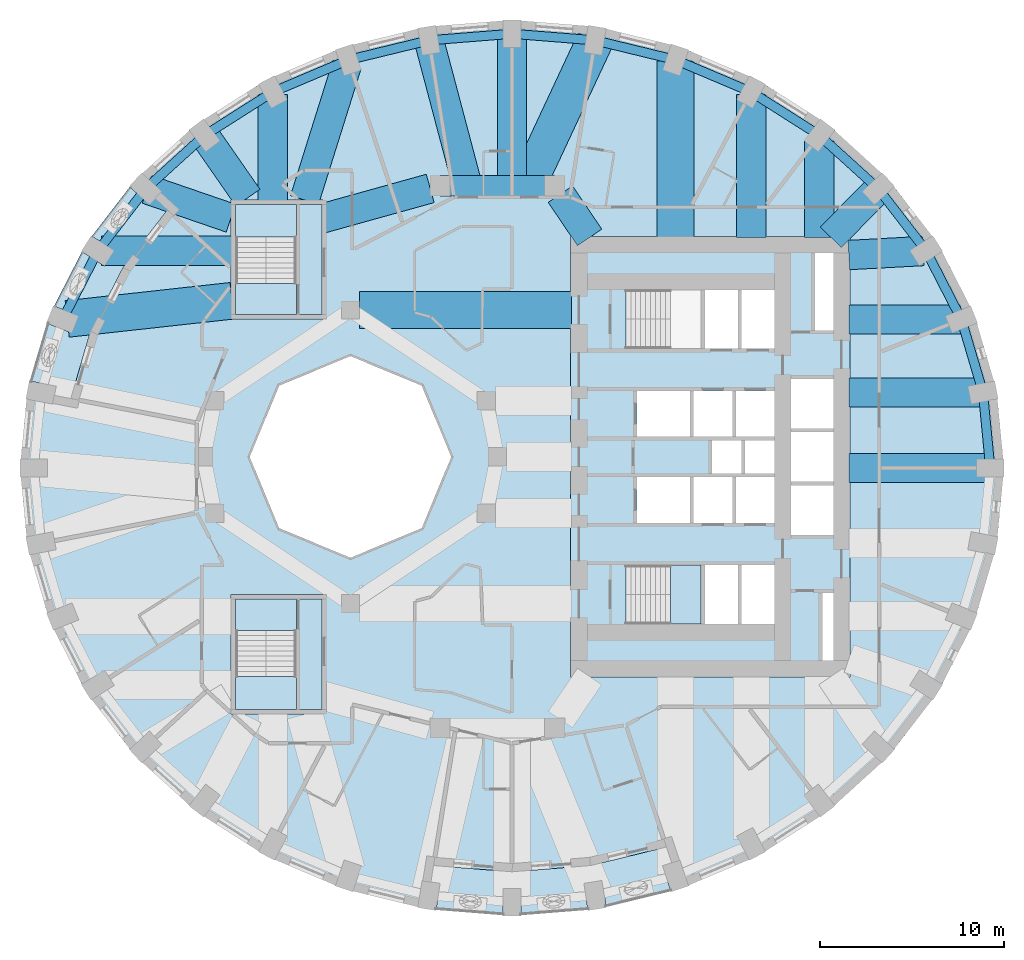
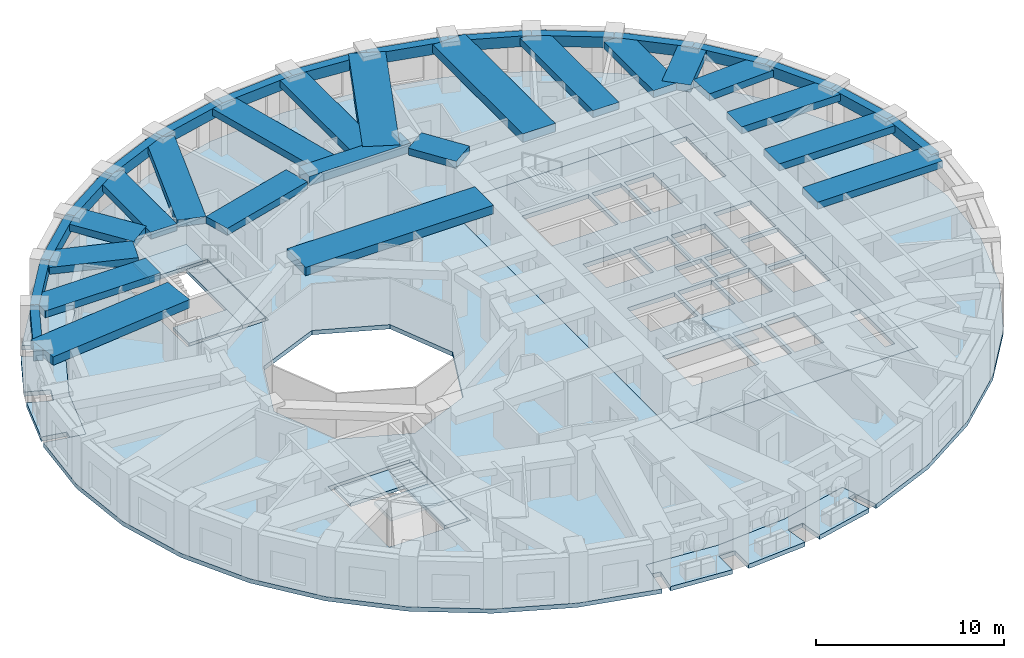
# One storey, part 2 of 13: 37 beams, 11 slabs, 3 elements without a shape of their own.
"""IFC4 building model written with IfcOpenShell, lengths in metres."""

from ifc_helpers import new_model, si_unit, direction, frame, origin, origin_2d, place, context, subcontext, project, spatial, polyline, rectangle, outline, extrude, material, layer, layer_set, material_profile, profile_set, type_object, element, aggregate, save


model = new_model("IFC4")

# Units and contexts
model_context = context("Model", 3, precision=1e-05, world=origin(), true_north=direction((0.0, 1.0)))
body_context = subcontext(model_context, "Body", "Model", "MODEL_VIEW")
ifc_project = project(units=[si_unit("LENGTHUNIT", "METRE"), si_unit("AREAUNIT", "SQUARE_METRE"), si_unit("VOLUMEUNIT", "CUBIC_METRE"), si_unit("PLANEANGLEUNIT", "RADIAN"), si_unit("MASSUNIT", "GRAM", prefix="KILO")], contexts=[model_context])

# Site, building, storey
site_placement = place(None, origin())
site = spatial("IfcSite", under=ifc_project, at=site_placement, CompositionType="ELEMENT")
building_placement = place(site_placement, origin())
building = spatial("IfcBuilding", under=site, at=building_placement, Name="Taillehof Tower", CompositionType="ELEMENT")
storey_placement = place(building_placement, frame((0.0, 0.0, 112.0)))
storey = spatial("IfcBuildingStorey", under=building, at=storey_placement, Name="L31", CompositionType="ELEMENT", Elevation=112.0)

# Beams
ifc_material_1 = material(Name="Concrete C50/60", Category="concrete")
ifc_material_profile_1 = material_profile(ifc_material_1, rectangle(XDim=1.10009765625, YDim=0.60009765625, at=origin_2d()), Name="RC 1100x600")
ifc_profile_set_1 = profile_set([ifc_material_profile_1], Name="Concrete C50/60")
beam_type_1 = type_object("IfcBeamType", Name="Mid-ring beam C50/60 1100x600", PredefinedType="BEAM", material=ifc_profile_set_1)
beam_1_placement = place(storey_placement, frame((3.125732421875, 14.772216796875, 2.719970703125), z_axis=(-1.0, 0.0, 0.0), x_axis=(0.0, -1.0, 0.0)))
element("IfcBeam", 1, at=beam_1_placement, inside=storey, type_object=beam_type_1, Name="Mid-ring beam MB01", PredefinedType="BEAM", context=body_context, shape_type="SweptSolid", body=[
    extrude(rectangle(XDim=1.10009765625, YDim=0.60009765625, at=origin_2d()), origin(), (0.0, 0.0, 1.0), 6.25146484375),
])
ifc_material_2 = material(Name="Concrete C50/60", Category="concrete")
ifc_material_profile_2 = material_profile(ifc_material_2, rectangle(XDim=1.60009765625, YDim=0.449951171875, at=origin_2d()), Name="RC 1600x450")
ifc_profile_set_2 = profile_set([ifc_material_profile_2], Name="Concrete C50/60")
beam_type_2 = type_object("IfcBeamType", Name="Radial band beam C50/60 1600x450", PredefinedType="BEAM", material=ifc_profile_set_2)
beam_2_placement = place(storey_placement, frame((26.85009765625, -0.60009765625, 2.794921875), z_axis=(-1.0, 0.0, 0.0), x_axis=(0.0, -1.0, 0.0)))
element("IfcBeam", 2, at=beam_2_placement, inside=storey, type_object=beam_type_2, Name="Radial band beam RB01", PredefinedType="BEAM", context=body_context, shape_type="SweptSolid", body=[
    extrude(rectangle(XDim=1.60009765625, YDim=0.449951171875, at=origin_2d()), origin(), (0.0, 0.0, 1.0), 7.7001953125),
])
beam_3_placement = place(storey_placement, frame((26.454345703125, 3.5068359375, 2.794921875), z_axis=(-1.0, 0.0, 0.0), x_axis=(0.0, -1.0, 0.0)))
element("IfcBeam", 3, at=beam_3_placement, inside=storey, type_object=beam_type_2, Name="Radial band beam RB02", PredefinedType="BEAM", context=body_context, shape_type="SweptSolid", body=[
    extrude(rectangle(XDim=1.60009765625, YDim=0.449951171875, at=origin_2d()), origin(), (0.0, 0.0, 1.0), 7.304443359375),
])
beam_4_placement = place(storey_placement, frame((25.2275390625, 7.48876953125, 2.794921875), z_axis=(-1.0, 0.0, 0.0), x_axis=(0.0, -1.0, 0.0)))
element("IfcBeam", 4, at=beam_4_placement, inside=storey, type_object=beam_type_2, Name="Radial band beam RB03", PredefinedType="BEAM", context=body_context, shape_type="SweptSolid", body=[
    extrude(rectangle(XDim=1.60009765625, YDim=0.449951171875, at=origin_2d()), origin(), (0.0, 0.0, 1.0), 6.07763671875),
])
beam_5_placement = place(storey_placement, frame((23.197021484375, 11.21630859375, 2.794921875), z_axis=(-0.998539024739, -0.054035322466, 0.0), x_axis=(0.054035322466, -0.998539024739, 0.0)))
element("IfcBeam", 5, at=beam_5_placement, inside=storey, type_object=beam_type_2, Name="Radial band beam RB04", PredefinedType="BEAM", context=body_context, shape_type="SweptSolid", body=[
    extrude(rectangle(XDim=1.60009765625, YDim=0.449951171875, at=origin_2d()), origin(), (0.0, 0.0, 1.0), 4.052734375),
])
beam_6_placement = place(storey_placement, frame((20.75537109375, 14.60205078125, 2.794921875), z_axis=(-0.700671998657, -0.713483531903, 0.0), x_axis=(0.713483531903, -0.700671998657, 0.0)))
element("IfcBeam", 6, at=beam_6_placement, inside=storey, type_object=beam_type_2, Name="Radial band beam RB05", PredefinedType="BEAM", context=body_context, shape_type="SweptSolid", body=[
    extrude(rectangle(XDim=1.60009765625, YDim=0.449951171875, at=origin_2d()), origin(), (0.0, 0.0, 1.0), 3.697021484375),
])
beam_7_placement = place(storey_placement, frame((17.544677734375, 17.2216796875, 2.794921875), z_axis=(0.0, -1.0, 0.0), x_axis=(1.0, 0.0, 0.0)))
element("IfcBeam", 7, at=beam_7_placement, inside=storey, type_object=beam_type_2, Name="Radial band beam RB06", PredefinedType="BEAM", context=body_context, shape_type="SweptSolid", body=[
    extrude(rectangle(XDim=1.60009765625, YDim=0.449951171875, at=origin_2d()), origin(), (0.0, 0.0, 1.0), 5.271728515625),
])
beam_8_placement = place(storey_placement, frame((13.824951171875, 19.744384765625, 2.794921875), z_axis=(0.0, -1.0, 0.0), x_axis=(1.0, 0.0, 0.0)))
element("IfcBeam", 8, at=beam_8_placement, inside=storey, type_object=beam_type_2, Name="Radial band beam RB07", PredefinedType="BEAM", context=body_context, shape_type="SweptSolid", body=[
    extrude(rectangle(XDim=1.60009765625, YDim=0.449951171875, at=origin_2d()), origin(), (0.0, 0.0, 1.0), 7.79443359375),
])
beam_9_placement = place(storey_placement, frame((0.800048828125, 23.050048828125, 2.794921875), z_axis=(0.0, -1.0, 0.0), x_axis=(1.0, 0.0, 0.0)))
element("IfcBeam", 9, at=beam_9_placement, inside=storey, type_object=beam_type_2, Name="Radial band beam RB10", PredefinedType="BEAM", context=body_context, shape_type="SweptSolid", body=[
    extrude(rectangle(XDim=1.60009765625, YDim=0.449951171875, at=origin_2d()), origin(), (0.0, 0.0, 1.0), 8.27783203125),
])
beam_10_placement = place(storey_placement, frame((-3.7236328125, 22.690673828125, 2.794921875), z_axis=(0.256102263642, -0.966649693817, 0.0), x_axis=(0.966649693817, 0.256102263642, 0.0)))
element("IfcBeam", 10, at=beam_10_placement, inside=storey, type_object=beam_type_2, Name="Radial band beam RB11", PredefinedType="BEAM", context=body_context, shape_type="SweptSolid", body=[
    extrude(rectangle(XDim=1.60009765625, YDim=0.449951171875, at=origin_2d()), origin(), (0.0, 0.0, 1.0), 8.191650390625),
])
beam_11_placement = place(storey_placement, frame((-8.189453125, 21.369140625, 2.794921875), z_axis=(-0.299184997435, -0.954195125386, 0.0), x_axis=(0.954195125386, -0.299184997435, 0.0)))
element("IfcBeam", 11, at=beam_11_placement, inside=storey, type_object=beam_type_2, Name="Radial band beam RB12", PredefinedType="BEAM", context=body_context, shape_type="SweptSolid", body=[
    extrude(rectangle(XDim=1.60009765625, YDim=0.449951171875, at=origin_2d()), origin(), (0.0, 0.0, 1.0), 7.728515625),
])
beam_12_placement = place(storey_placement, frame((-12.22509765625, 19.744384765625, 2.794921875), z_axis=(0.0, -1.0, 0.0), x_axis=(1.0, 0.0, 0.0)))
element("IfcBeam", 12, at=beam_12_placement, inside=storey, type_object=beam_type_2, Name="Radial band beam RB13", PredefinedType="BEAM", context=body_context, shape_type="SweptSolid", body=[
    extrude(rectangle(XDim=1.60009765625, YDim=0.449951171875, at=origin_2d()), origin(), (0.0, 0.0, 1.0), 5.79443359375),
])
beam_13_placement = place(storey_placement, frame((-15.944580078125, 17.516845703125, 2.794921875), z_axis=(0.570763290366, -0.821114648737, 0.0), x_axis=(0.821114648737, 0.570763290366, 0.0)))
element("IfcBeam", 13, at=beam_13_placement, inside=storey, type_object=beam_type_2, Name="Radial band beam RB14", PredefinedType="BEAM", context=body_context, shape_type="SweptSolid", body=[
    extrude(rectangle(XDim=1.60009765625, YDim=0.449951171875, at=origin_2d()), origin(), (0.0, 0.0, 1.0), 4.1328125),
])
beam_14_placement = place(storey_placement, frame((-19.080810546875, 14.576171875, 2.794921875), z_axis=(0.945583195076, -0.325380425334, 0.0), x_axis=(0.325380425334, 0.945583195076, 0.0)))
element("IfcBeam", 14, at=beam_14_placement, inside=storey, type_object=beam_type_2, Name="Radial band beam RB15", PredefinedType="BEAM", context=body_context, shape_type="SweptSolid", body=[
    extrude(rectangle(XDim=1.60009765625, YDim=0.449951171875, at=origin_2d()), origin(), (0.0, 0.0, 1.0), 4.83349609375),
])
beam_15_placement = place(storey_placement, frame((-21.54736328125, 11.22509765625, 2.794921875), z_axis=(1.0, 0.0, 0.0), x_axis=(0.0, 1.0, 0.0)))
element("IfcBeam", 15, at=beam_15_placement, inside=storey, type_object=beam_type_2, Name="Radial band beam RB16", PredefinedType="BEAM", context=body_context, shape_type="SweptSolid", body=[
    extrude(rectangle(XDim=1.60009765625, YDim=0.449951171875, at=origin_2d()), origin(), (0.0, 0.0, 1.0), 7.097412109375),
])
beam_16_placement = place(storey_placement, frame((3.433837890625, 14.31640625, 2.794921875), z_axis=(0.560112043398, -0.828416862962, 0.0), x_axis=(0.828416862962, 0.560112043398, 0.0)))
element("IfcBeam", 16, at=beam_16_placement, inside=storey, type_object=beam_type_2, Name="Inner band beam IB205", PredefinedType="BEAM", context=body_context, shape_type="SweptSolid", body=[
    extrude(rectangle(XDim=1.60009765625, YDim=0.449951171875, at=origin_2d()), origin(), (0.0, 0.0, 1.0), 2.84619140625),
])
beam_17_placement = place(storey_placement, frame((-3.655517578125, 14.624755859375, 2.794921875), z_axis=(-0.963459369536, -0.267854518821, 0.0), x_axis=(0.267854518821, -0.963459369536, 0.0)))
element("IfcBeam", 17, at=beam_17_placement, inside=storey, type_object=beam_type_2, Name="Inner band beam IB206", PredefinedType="BEAM", context=body_context, shape_type="SweptSolid", body=[
    extrude(rectangle(XDim=1.60009765625, YDim=0.449951171875, at=origin_2d()), origin(), (0.0, 0.0, 1.0), 6.096923828125),
])
ifc_material_3 = material(Name="Concrete C50/60", Category="concrete")
ifc_material_profile_3 = material_profile(ifc_material_3, rectangle(XDim=2.0, YDim=0.550048828125, at=origin_2d()), Name="RC 2000x550")
ifc_profile_set_3 = profile_set([ifc_material_profile_3], Name="Concrete C50/60")
beam_type_3 = type_object("IfcBeamType", Name="Radial band beam C50/60 2000x550", PredefinedType="BEAM", material=ifc_profile_set_3)
beam_18_placement = place(storey_placement, frame((9.709716796875, 21.556640625, 2.7451171875), z_axis=(0.0, -1.0, 0.0), x_axis=(1.0, 0.0, 0.0)))
element("IfcBeam", 18, at=beam_18_placement, inside=storey, type_object=beam_type_3, Name="Radial band beam RB08", PredefinedType="BEAM", context=body_context, shape_type="SweptSolid", body=[
    extrude(rectangle(XDim=2.0, YDim=0.550048828125, at=origin_2d()), origin(), (0.0, 0.0, 1.0), 9.606689453125),
])
beam_19_placement = place(storey_placement, frame((5.312744140625, 22.66748046875, 2.7451171875), z_axis=(-0.423126261145, -0.90607072965, 0.0), x_axis=(0.90607072965, -0.423126261145, 0.0)))
element("IfcBeam", 19, at=beam_19_placement, inside=storey, type_object=beam_type_3, Name="Radial band beam RB09", PredefinedType="BEAM", context=body_context, shape_type="SweptSolid", body=[
    extrude(rectangle(XDim=2.0, YDim=0.550048828125, at=origin_2d()), origin(), (0.0, 0.0, 1.0), 8.713623046875),
])
beam_20_placement = place(storey_placement, frame((-23.42919921875, 7.516357421875, 2.7451171875), z_axis=(0.993988424713, 0.109485211499, 0.0), x_axis=(-0.109485211499, 0.993988424713, 0.0)))
element("IfcBeam", 20, at=beam_20_placement, inside=storey, type_object=beam_type_3, Name="Radial band beam RB17", PredefinedType="BEAM", context=body_context, shape_type="SweptSolid", body=[
    extrude(rectangle(XDim=2.0, YDim=0.550048828125, at=origin_2d()), origin(), (0.0, 0.0, 1.0), 9.033203125),
])
beam_21_placement = place(storey_placement, frame((-7.5, 8.0, 2.7451171875), z_axis=(1.0, 0.0, 0.0), x_axis=(0.0, 1.0, 0.0)))
element("IfcBeam", 21, at=beam_21_placement, inside=storey, type_object=beam_type_3, Name="Inner band beam IB105", PredefinedType="BEAM", context=body_context, shape_type="SweptSolid", body=[
    extrude(rectangle(XDim=2.0, YDim=0.550048828125, at=origin_2d()), origin(), (0.0, 0.0, 1.0), 11.550048828125),
])
ifc_material_4 = material(Name="Concrete C50/60", Category="concrete")
ifc_material_profile_4 = material_profile(ifc_material_4, rectangle(XDim=0.5, YDim=0.699951171875, at=origin_2d()), Name="RC 500x700")
ifc_profile_set_4 = profile_set([ifc_material_profile_4], Name="Concrete C50/60")
beam_type_4 = type_object("IfcBeamType", Name="Spandrel beam C50/60 500x700", PredefinedType="SPANDREL", material=ifc_profile_set_4)
beam_22_placement = place(storey_placement, frame((26.85009765625, -0.60009765625, 2.669921875), z_axis=(-0.095917608943, 0.995389276763, 0.0), x_axis=(-0.995389276763, -0.095917608943, 0.0)))
element("IfcBeam", 22, at=beam_22_placement, inside=storey, type_object=beam_type_4, Name="Spandrel beam SB01", PredefinedType="SPANDREL", context=body_context, shape_type="SweptSolid", body=[
    extrude(rectangle(XDim=0.5, YDim=0.699951171875, at=origin_2d()), origin(), (0.0, 0.0, 1.0), 4.1259765625),
])
beam_23_placement = place(storey_placement, frame((26.454345703125, 3.5068359375, 2.669921875), z_axis=(-0.28308309012, 0.95909538842, 0.0), x_axis=(-0.95909538842, -0.28308309012, 0.0)))
element("IfcBeam", 23, at=beam_23_placement, inside=storey, type_object=beam_type_4, Name="Spandrel beam SB02", PredefinedType="SPANDREL", context=body_context, shape_type="SweptSolid", body=[
    extrude(rectangle(XDim=0.5, YDim=0.699951171875, at=origin_2d()), origin(), (0.0, 0.0, 1.0), 4.15185546875),
])
beam_24_placement = place(storey_placement, frame((25.279052734375, 7.48876953125, 2.669921875), z_axis=(-0.456905372708, 0.88951530644, 0.0), x_axis=(-0.88951530644, -0.456905372708, 0.0)))
element("IfcBeam", 24, at=beam_24_placement, inside=storey, type_object=beam_type_4, Name="Spandrel beam SB03", PredefinedType="SPANDREL", context=body_context, shape_type="SweptSolid", body=[
    extrude(rectangle(XDim=0.5, YDim=0.699951171875, at=origin_2d()), origin(), (0.0, 0.0, 1.0), 4.200439453125),
])
beam_25_placement = place(storey_placement, frame((23.35986328125, 11.22509765625, 2.669921875), z_axis=(-0.61071731561, 0.79184869793, 0.0), x_axis=(-0.79184869793, -0.61071731561, 0.0)))
element("IfcBeam", 25, at=beam_25_placement, inside=storey, type_object=beam_type_4, Name="Spandrel beam SB04", PredefinedType="SPANDREL", context=body_context, shape_type="SweptSolid", body=[
    extrude(rectangle(XDim=0.5, YDim=0.699951171875, at=origin_2d()), origin(), (0.0, 0.0, 1.0), 4.2646484375),
])
beam_26_placement = place(storey_placement, frame((20.75537109375, 14.60205078125, 2.669921875), z_axis=(-0.740400998917, 0.672165426665, 0.0), x_axis=(-0.672165426665, -0.740400998917, 0.0)))
element("IfcBeam", 26, at=beam_26_placement, inside=storey, type_object=beam_type_4, Name="Spandrel beam SB05", PredefinedType="SPANDREL", context=body_context, shape_type="SweptSolid", body=[
    extrude(rectangle(XDim=0.5, YDim=0.699951171875, at=origin_2d()), origin(), (0.0, 0.0, 1.0), 4.33642578125),
])
beam_27_placement = place(storey_placement, frame((17.544677734375, 17.516845703125, 2.669921875), z_axis=(-0.843903157847, 0.536495536027, 0.0), x_axis=(-0.536495536027, -0.843903157847, 0.0)))
element("IfcBeam", 27, at=beam_27_placement, inside=storey, type_object=beam_type_4, Name="Spandrel beam SB06", PredefinedType="SPANDREL", context=body_context, shape_type="SweptSolid", body=[
    extrude(rectangle(XDim=0.5, YDim=0.699951171875, at=origin_2d()), origin(), (0.0, 0.0, 1.0), 4.40771484375),
])
beam_28_placement = place(storey_placement, frame((13.824951171875, 19.881591796875, 2.669921875), z_axis=(-0.920876744153, 0.389853847074, 0.0), x_axis=(-0.389853847074, -0.920876744153, 0.0)))
element("IfcBeam", 28, at=beam_28_placement, inside=storey, type_object=beam_type_4, Name="Spandrel beam SB07", PredefinedType="SPANDREL", context=body_context, shape_type="SweptSolid", body=[
    extrude(rectangle(XDim=0.5, YDim=0.699951171875, at=origin_2d()), origin(), (0.0, 0.0, 1.0), 4.46875),
])
beam_29_placement = place(storey_placement, frame((9.709716796875, 21.623779296875, 2.669921875), z_axis=(-0.971668945916, 0.23634605887, 0.0), x_axis=(-0.23634605887, -0.971668945916, 0.0)))
element("IfcBeam", 29, at=beam_29_placement, inside=storey, type_object=beam_type_4, Name="Spandrel beam SB08", PredefinedType="SPANDREL", context=body_context, shape_type="SweptSolid", body=[
    extrude(rectangle(XDim=0.5, YDim=0.699951171875, at=origin_2d()), origin(), (0.0, 0.0, 1.0), 4.51416015625),
])
beam_30_placement = place(storey_placement, frame((5.323486328125, 22.690673828125, 2.669921875), z_axis=(-0.996858923208, 0.079197772828, 0.0), x_axis=(-0.079197772828, -0.996858923208, 0.0)))
element("IfcBeam", 30, at=beam_30_placement, inside=storey, type_object=beam_type_4, Name="Spandrel beam SB09", PredefinedType="SPANDREL", context=body_context, shape_type="SweptSolid", body=[
    extrude(rectangle(XDim=0.5, YDim=0.699951171875, at=origin_2d()), origin(), (0.0, 0.0, 1.0), 4.53759765625),
])
beam_31_placement = place(storey_placement, frame((0.800048828125, 23.050048828125, 2.669921875), z_axis=(-0.996859260648, -0.079193525375, 0.0), x_axis=(0.079193525375, -0.996859260648, 0.0)))
element("IfcBeam", 31, at=beam_31_placement, inside=storey, type_object=beam_type_4, Name="Spandrel beam SB10", PredefinedType="SPANDREL", context=body_context, shape_type="SweptSolid", body=[
    extrude(rectangle(XDim=0.5, YDim=0.699951171875, at=origin_2d()), origin(), (0.0, 0.0, 1.0), 4.537841796875),
])
beam_32_placement = place(storey_placement, frame((-3.7236328125, 22.690673828125, 2.669921875), z_axis=(-0.971665924588, -0.236358479847, 0.0), x_axis=(0.236358479847, -0.971665924588, 0.0)))
element("IfcBeam", 32, at=beam_32_placement, inside=storey, type_object=beam_type_4, Name="Spandrel beam SB11", PredefinedType="SPANDREL", context=body_context, shape_type="SweptSolid", body=[
    extrude(rectangle(XDim=0.5, YDim=0.699951171875, at=origin_2d()), origin(), (0.0, 0.0, 1.0), 4.513916015625),
])
beam_33_placement = place(storey_placement, frame((-8.109619140625, 21.623779296875, 2.669921875), z_axis=(-0.920885046825, -0.389834234688, 0.0), x_axis=(0.389834234688, -0.920885046825, 0.0)))
element("IfcBeam", 33, at=beam_33_placement, inside=storey, type_object=beam_type_4, Name="Spandrel beam SB12", PredefinedType="SPANDREL", context=body_context, shape_type="SweptSolid", body=[
    extrude(rectangle(XDim=0.5, YDim=0.699951171875, at=origin_2d()), origin(), (0.0, 0.0, 1.0), 4.468994140625),
])
beam_34_placement = place(storey_placement, frame((-12.22509765625, 19.881591796875, 2.669921875), z_axis=(-0.843887214322, -0.536520614239, 0.0), x_axis=(0.536520614239, -0.843887214322, 0.0)))
element("IfcBeam", 34, at=beam_34_placement, inside=storey, type_object=beam_type_4, Name="Spandrel beam SB13", PredefinedType="SPANDREL", context=body_context, shape_type="SweptSolid", body=[
    extrude(rectangle(XDim=0.5, YDim=0.699951171875, at=origin_2d()), origin(), (0.0, 0.0, 1.0), 4.407470703125),
])
beam_35_placement = place(storey_placement, frame((-15.944580078125, 17.516845703125, 2.669921875), z_axis=(-0.740426434014, -0.672137408432, 0.0), x_axis=(0.672137408432, -0.740426434014, 0.0)))
element("IfcBeam", 35, at=beam_35_placement, inside=storey, type_object=beam_type_4, Name="Spandrel beam SB14", PredefinedType="SPANDREL", context=body_context, shape_type="SweptSolid", body=[
    extrude(rectangle(XDim=0.5, YDim=0.699951171875, at=origin_2d()), origin(), (0.0, 0.0, 1.0), 4.336669921875),
])
beam_36_placement = place(storey_placement, frame((-19.155517578125, 14.60205078125, 2.669921875), z_axis=(-0.61071731561, -0.79184869793, 0.0), x_axis=(0.79184869793, -0.61071731561, 0.0)))
element("IfcBeam", 36, at=beam_36_placement, inside=storey, type_object=beam_type_4, Name="Spandrel beam SB15", PredefinedType="SPANDREL", context=body_context, shape_type="SweptSolid", body=[
    extrude(rectangle(XDim=0.5, YDim=0.699951171875, at=origin_2d()), origin(), (0.0, 0.0, 1.0), 4.2646484375),
])
beam_37_placement = place(storey_placement, frame((-21.760009765625, 11.22509765625, 2.669921875), z_axis=(-0.456859381733, -0.889538928503, 0.0), x_axis=(0.889538928503, -0.456859381733, 0.0)))
element("IfcBeam", 37, at=beam_37_placement, inside=storey, type_object=beam_type_4, Name="Spandrel beam SB16", PredefinedType="SPANDREL", context=body_context, shape_type="SweptSolid", body=[
    extrude(rectangle(XDim=0.5, YDim=0.699951171875, at=origin_2d()), origin(), (0.0, 0.0, 1.0), 4.2001953125),
])

# Slabs
ifc_material_5 = material(Name="Concrete C40/50", Category="concrete")
ifc_layer_1 = layer(ifc_material_5, 0.280029296875)
ifc_layer_set_1 = layer_set([ifc_layer_1], Name="Balcony slab 280")
slab_type_1 = type_object("IfcSlabType", Name="Balcony slab 280", PredefinedType="USERDEFINED", material=ifc_layer_set_1)
slab_1_placement = place(storey_placement, frame((0.0, 0.0, -0.280029296875)))
element("IfcSlab", 38, at=slab_1_placement, inside=storey, type_object=slab_type_1, Name="Balcony L31 pocket 4", ObjectType="BALCONY", PredefinedType="USERDEFINED", context=body_context, shape_type="SweptSolid", body=[
    extrude(outline(polyline([(-23.236572265625, 3.1806640625), (-24.120361328125, 3.351806640625), (-24.02294921875, 3.85498046875), (-25.447509765625, 4.130859375), (-24.518798828125, 7.2861328125), (-23.168212890625, 6.74609375), (-22.796875, 7.674560546875), (-24.14404296875, 8.213134765625), (-22.6240234375, 11.180908203125), (-21.394287109375, 10.401123046875), (-20.85888671875, 11.24560546875), (-22.084228515625, 12.022705078125), (-20.0146484375, 14.7138671875), (-18.94287109375, 13.72607421875), (-18.627685546875, 14.068115234375), (-17.965087890625, 13.45751953125), (-20.382568359375, 10.314697265625), (-22.1552734375, 6.8544921875), (-23.236572265625, 3.1806640625)])), origin(), (0.0, 0.0, 1.0), 0.280029296875),
])
slab_2_placement = place(storey_placement, frame((0.0, 0.0, -0.280029296875)))
element("IfcSlab", 39, at=slab_2_placement, inside=storey, type_object=slab_type_1, Name="Balcony L31 pocket 8", ObjectType="BALCONY", PredefinedType="USERDEFINED", context=body_context, shape_type="SweptSolid", body=[
    extrude(outline(polyline([(9.211181640625, -21.250244140625), (9.494384765625, -22.10498046875), (8.9990234375, -22.26904296875), (9.45751953125, -23.652587890625), (5.929931640625, -24.51318359375), (5.6982421875, -23.071044921875), (4.7109375, -23.2294921875), (4.942138671875, -24.670166015625), (1.300048828125, -24.960205078125), (1.300048828125, -23.5), (0.300048828125, -23.5), (0.300048828125, -24.960205078125), (-3.34228515625, -24.670166015625), (-3.111083984375, -23.2294921875), (-3.615966796875, -23.1484375), (-3.473388671875, -22.259765625), (0.800048828125, -22.60009765625), (5.0732421875, -22.259765625), (9.211181640625, -21.250244140625)])), origin(), (0.0, 0.0, 1.0), 0.280029296875),
])
ifc_material_6 = material(Name="Concrete C40/50", Category="concrete")
ifc_layer_2 = layer(ifc_material_6, 0.280029296875)
ifc_layer_set_2 = layer_set([ifc_layer_2], Name="Core floor slab C40/50 280")
slab_type_2 = type_object("IfcSlabType", Name="Core floor slab C40/50 280", PredefinedType="FLOOR", material=ifc_layer_set_2)
slab_3_placement = place(storey_placement, frame((0.0, 0.0, -0.280029296875)))
element("IfcSlab", 40, at=slab_3_placement, inside=storey, type_object=slab_type_2, Name="Core floor L31", PredefinedType="FLOOR", context=body_context, shape_type="SweptSolid", body=[
    extrude(outline(polyline([(4.0, -12.0), (4.0, 12.0), (19.199951171875, 12.0), (19.199951171875, -12.0), (4.0, -12.0)]), holes=[polyline([(7.00048828125, -9.10009765625), (11.10009765625, -9.10009765625), (11.10009765625, -5.89990234375), (7.00048828125, -5.89990234375), (7.00048828125, -9.10009765625)]), polyline([(13.10009765625, -9.10009765625), (13.10009765625, -5.89990234375), (11.300048828125, -5.89990234375), (11.300048828125, -9.10009765625), (13.10009765625, -9.10009765625)]), polyline([(10.5, -3.60009765625), (10.5, -1.10009765625), (7.60009765625, -1.10009765625), (7.60009765625, -3.60009765625), (10.5, -3.60009765625)]), polyline([(12.800048828125, -3.60009765625), (12.800048828125, -1.10009765625), (10.699951171875, -1.10009765625), (10.699951171875, -3.60009765625), (12.800048828125, -3.60009765625)]), polyline([(13.300048828125, -0.89990234375), (13.300048828125, 0.89990234375), (11.699951171875, 0.89990234375), (11.699951171875, -0.89990234375), (13.300048828125, -0.89990234375)]), polyline([(10.5, 1.10009765625), (10.5, 3.60009765625), (7.60009765625, 3.60009765625), (7.60009765625, 1.10009765625), (10.5, 1.10009765625)]), polyline([(12.800048828125, 1.10009765625), (12.800048828125, 3.60009765625), (10.699951171875, 3.60009765625), (10.699951171875, 1.10009765625), (12.800048828125, 1.10009765625)]), polyline([(13.0, 1.10009765625), (15.10009765625, 1.10009765625), (15.10009765625, 3.60009765625), (13.0, 3.60009765625), (13.0, 1.10009765625)]), polyline([(11.300048828125, 5.89990234375), (13.10009765625, 5.89990234375), (13.10009765625, 9.10009765625), (11.300048828125, 9.10009765625), (11.300048828125, 5.89990234375)]), polyline([(11.10009765625, 5.89990234375), (11.10009765625, 9.10009765625), (7.00048828125, 9.10009765625), (7.00048828125, 5.89990234375), (11.10009765625, 5.89990234375)]), polyline([(18.300048828125, -11.10009765625), (18.300048828125, -7.39990234375), (17.699951171875, -7.39990234375), (17.699951171875, -11.10009765625), (18.300048828125, -11.10009765625)]), polyline([(15.10009765625, -9.10009765625), (15.10009765625, -5.89990234375), (13.300048828125, -5.89990234375), (13.300048828125, -9.10009765625), (15.10009765625, -9.10009765625)]), polyline([(16.0, -4.25), (18.300048828125, -4.25), (18.300048828125, -1.550048828125), (16.0, -1.550048828125), (16.0, -4.25)]), polyline([(13.0, -3.60009765625), (15.10009765625, -3.60009765625), (15.10009765625, -1.10009765625), (13.0, -1.10009765625), (13.0, -3.60009765625)]), polyline([(15.10009765625, -0.89990234375), (15.10009765625, 0.89990234375), (13.5, 0.89990234375), (13.5, -0.89990234375), (15.10009765625, -0.89990234375)]), polyline([(18.300048828125, -1.35009765625), (18.300048828125, 1.35009765625), (16.0, 1.35009765625), (16.0, -1.35009765625), (18.300048828125, -1.35009765625)]), polyline([(18.300048828125, 1.550048828125), (18.300048828125, 4.25), (16.0, 4.25), (16.0, 1.550048828125), (18.300048828125, 1.550048828125)]), polyline([(13.300048828125, 5.89990234375), (15.10009765625, 5.89990234375), (15.10009765625, 9.10009765625), (13.300048828125, 9.10009765625), (13.300048828125, 5.89990234375)]), polyline([(17.300048828125, 6.89990234375), (18.300048828125, 6.89990234375), (18.300048828125, 11.10009765625), (17.300048828125, 11.10009765625), (17.300048828125, 6.89990234375)])]), origin(), (0.0, 0.0, 1.0), 0.280029296875),
])
ifc_material_7 = material(Name="Concrete C40/50", Category="concrete")
ifc_layer_3 = layer(ifc_material_7, 0.280029296875)
ifc_layer_set_3 = layer_set([ifc_layer_3], Name="Floor slab 280")
slab_type_3 = type_object("IfcSlabType", Name="Floor slab 280", PredefinedType="FLOOR", material=ifc_layer_set_3)
slab_4_placement = place(storey_placement, frame((0.0, 0.0, -0.280029296875)))
element("IfcSlab", 41, at=slab_4_placement, inside=storey, type_object=slab_type_3, Name="Floor slab L31", PredefinedType="FLOOR", context=body_context, shape_type="SweptSolid", body=[
    extrude(outline(polyline([(27.60009765625, -0.60009765625), (27.19287109375, 3.636962890625), (25.98388671875, 7.745361328125), (24.009521484375, 11.60009765625), (21.330078125, 15.083984375), (18.026611328125, 18.091552734375), (14.199951171875, 20.531005859375), (9.966064453125, 22.32861328125), (5.453857421875, 23.42919921875), (0.800048828125, 23.800048828125), (-3.853759765625, 23.42919921875), (-8.3662109375, 22.32861328125), (-12.60009765625, 20.531005859375), (-16.4267578125, 18.091552734375), (-19.72998046875, 15.083984375), (-17.965087890625, 13.45751953125), (-20.3828125, 10.314697265625), (-22.1552734375, 6.8544921875), (-23.236572265625, 3.1806640625), (-25.5927734375, 3.636962890625), (-26.0, -0.60009765625), (-25.5927734375, -4.8369140625), (-24.3837890625, -8.9453125), (-22.409423828125, -12.800048828125), (-19.72998046875, -16.283935546875), (-16.4267578125, -19.29150390625), (-12.60009765625, -21.73095703125), (-8.3662109375, -23.528564453125), (-3.853759765625, -24.62939453125), (-3.473388671875, -22.259765625), (0.800048828125, -22.60009765625), (5.073486328125, -22.259765625), (9.211181640625, -21.250244140625), (9.966064453125, -23.528564453125), (14.199951171875, -21.73095703125), (18.026611328125, -19.29150390625), (21.330078125, -16.283935546875), (24.009521484375, -12.800048828125), (25.98388671875, -8.9453125), (27.19287109375, -4.8369140625), (27.60009765625, -0.60009765625)]), holes=[polyline([(-14.5, -7.5), (-9.5, -7.5), (-9.5, -14.0), (-14.5, -14.0), (-14.5, -7.5)]), polyline([(-8.0, -5.5), (-11.88916015625, -3.88916015625), (-13.5, 0.0), (-11.88916015625, 3.88916015625), (-8.0, 5.5), (-4.11083984375, 3.88916015625), (-2.5, 0.0), (-4.11083984375, -3.88916015625), (-8.0, -5.5)]), polyline([(19.199951171875, 12.0), (19.199951171875, -12.0), (4.0, -12.0), (4.0, 12.0), (19.199951171875, 12.0)]), polyline([(-14.5, 14.0), (-9.5, 14.0), (-9.5, 7.5), (-14.5, 7.5), (-14.5, 14.0)])]), origin(), (0.0, 0.0, 1.0), 0.280029296875),
])

# Stair, slab
ifc_material_8 = material(Name="Concrete C40/50", Category="concrete")
stair_type = type_object("IfcStairType", Name="Exit stair half-turn", PredefinedType="HALF_TURN_STAIR", material=ifc_material_8)
stair_1_placement = place(storey_placement, origin())
stair_1 = element("IfcStair", 42, at=stair_1_placement, inside=storey, type_object=stair_type, Name="Exit stair S2", PredefinedType="HALF_TURN_STAIR")
ifc_material_9 = material(Name="Concrete C40/50", Category="concrete")
ifc_layer_4 = layer(ifc_material_9, 0.2099609375)
ifc_layer_set_4 = layer_set([ifc_layer_4], Name="Stair landing C40/50 210")
slab_type_4 = type_object("IfcSlabType", Name="Stair landing C40/50 210", PredefinedType="LANDING", material=ifc_layer_set_4)
slab_5_placement = place(storey_placement, frame((0.0, 0.0, 1.43994140625)))
slab_5 = element("IfcSlab", 43, at=slab_5_placement, type_object=slab_type_4, Name="S2 landing 1", PredefinedType="LANDING", context=body_context, shape_type="SweptSolid", body=[
    extrude(outline(polyline([(9.429931640625, -5.89990234375), (11.10009765625, -5.89990234375), (11.10009765625, -9.10009765625), (9.429931640625, -9.10009765625), (9.429931640625, -5.89990234375)])), origin(), (0.0, 0.0, 1.0), 0.2099609375),
])
aggregate(stair_1, [slab_5])

stair_2_placement = place(storey_placement, origin())
stair_2 = element("IfcStair", 44, at=stair_2_placement, inside=storey, type_object=stair_type, Name="Exit stair S3", PredefinedType="HALF_TURN_STAIR")
slab_6_placement = place(storey_placement, frame((0.0, 0.0, 1.43994140625)))
slab_6 = element("IfcSlab", 45, at=slab_6_placement, type_object=slab_type_4, Name="S3 landing 1", PredefinedType="LANDING", context=body_context, shape_type="SweptSolid", body=[
    extrude(outline(polyline([(-14.25, 11.969970703125), (-14.25, 13.75), (-10.949951171875, 13.75), (-10.949951171875, 11.969970703125), (-14.25, 11.969970703125)])), origin(), (0.0, 0.0, 1.0), 0.2099609375),
])
aggregate(stair_2, [slab_6])

stair_3_placement = place(storey_placement, origin())
stair_3 = element("IfcStair", 46, at=stair_3_placement, inside=storey, type_object=stair_type, Name="Exit stair S4", PredefinedType="HALF_TURN_STAIR")
slab_7_placement = place(storey_placement, frame((0.0, 0.0, 1.43994140625)))
slab_7 = element("IfcSlab", 47, at=slab_7_placement, type_object=slab_type_4, Name="S4 landing 1", PredefinedType="LANDING", context=body_context, shape_type="SweptSolid", body=[
    extrude(outline(polyline([(-14.25, -11.969970703125), (-14.25, -13.75), (-10.949951171875, -13.75), (-10.949951171875, -11.969970703125), (-14.25, -11.969970703125)])), origin(), (0.0, 0.0, 1.0), 0.2099609375),
])
aggregate(stair_3, [slab_7])

# Slabs
slab_8_placement = place(storey_placement, frame((0.0, 0.0, -0.2099609375)))
element("IfcSlab", 48, at=slab_8_placement, inside=storey, type_object=slab_type_4, Name="Stair S3 floor landing", PredefinedType="LANDING", context=body_context, shape_type="SweptSolid", body=[
    extrude(outline(polyline([(-14.25, 7.75), (-14.25, 9.449951171875), (-10.949951171875, 9.449951171875), (-10.949951171875, 7.75), (-14.25, 7.75)])), origin(), (0.0, 0.0, 1.0), 0.2099609375),
])
slab_9_placement = place(storey_placement, frame((0.0, 0.0, -0.2099609375)))
element("IfcSlab", 49, at=slab_9_placement, inside=storey, type_object=slab_type_4, Name="Stair lobby S3 floor", PredefinedType="LANDING", context=body_context, shape_type="SweptSolid", body=[
    extrude(outline(polyline([(-10.949951171875, 7.75), (-9.550048828125, 7.75), (-9.550048828125, 13.75), (-10.949951171875, 13.75), (-10.949951171875, 7.75)])), origin(), (0.0, 0.0, 1.0), 0.2099609375),
])
slab_10_placement = place(storey_placement, frame((0.0, 0.0, -0.2099609375)))
element("IfcSlab", 50, at=slab_10_placement, inside=storey, type_object=slab_type_4, Name="Stair S4 floor landing", PredefinedType="LANDING", context=body_context, shape_type="SweptSolid", body=[
    extrude(outline(polyline([(-14.25, -7.75), (-14.25, -9.449951171875), (-10.949951171875, -9.449951171875), (-10.949951171875, -7.75), (-14.25, -7.75)])), origin(), (0.0, 0.0, 1.0), 0.2099609375),
])
slab_11_placement = place(storey_placement, frame((0.0, 0.0, -0.2099609375)))
element("IfcSlab", 51, at=slab_11_placement, inside=storey, type_object=slab_type_4, Name="Stair lobby S4 floor", PredefinedType="LANDING", context=body_context, shape_type="SweptSolid", body=[
    extrude(outline(polyline([(-10.949951171875, -13.75), (-9.550048828125, -13.75), (-9.550048828125, -7.75), (-10.949951171875, -7.75), (-10.949951171875, -13.75)])), origin(), (0.0, 0.0, 1.0), 0.2099609375),
])

save(model, "model.ifc")
